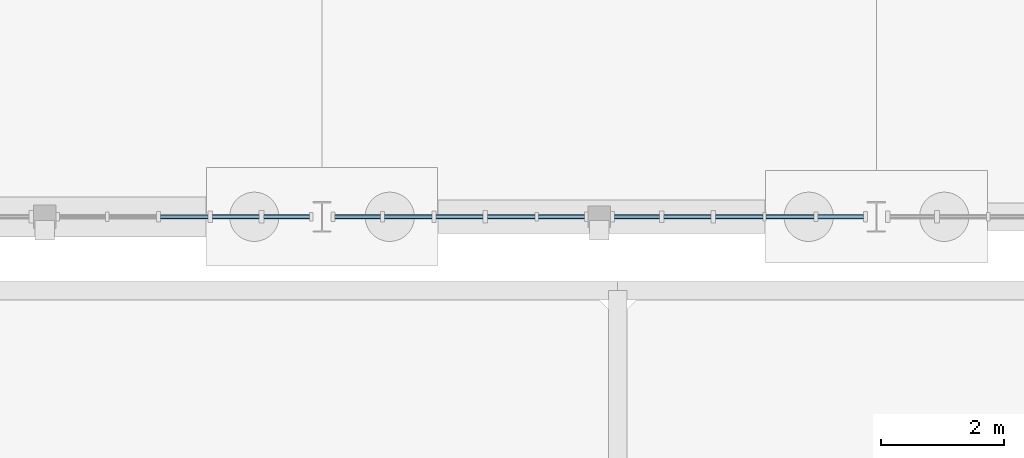
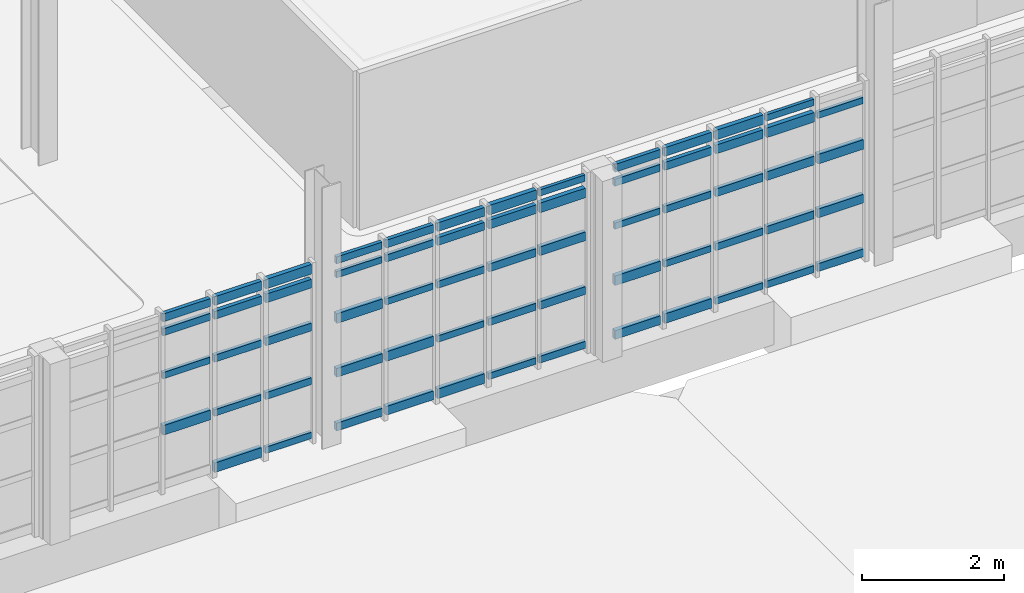
# One storey, part 62 of 125: 63 members, 3 elements without a shape of their own.
"""IFC4 building model written with IfcOpenShell, lengths in metres."""

from ifc_helpers import new_model, si_unit, direction, frame, origin, origin_2d, place, context, subcontext, project, spatial, rectangle, extrude, material, material_profile, profile_set, type_object, element, aggregate, save


model = new_model("IFC4")

# Units and contexts
model_context = context("Model", 3, precision=1e-05, world=origin(), true_north=direction((0.0, 1.0)))
body_context = subcontext(model_context, "Body", "Model", "MODEL_VIEW")
ifc_project = project(units=[si_unit("LENGTHUNIT", "METRE"), si_unit("AREAUNIT", "SQUARE_METRE"), si_unit("VOLUMEUNIT", "CUBIC_METRE"), si_unit("PLANEANGLEUNIT", "RADIAN"), si_unit("MASSUNIT", "GRAM", prefix="KILO")], contexts=[model_context])

# Site, building, storey
site_placement = place(None, origin())
site = spatial("IfcSite", under=ifc_project, at=site_placement, CompositionType="ELEMENT")
building_placement = place(site_placement, origin())
building = spatial("IfcBuilding", under=site, at=building_placement, Name="Serraforn Aerial Cableway Station", CompositionType="ELEMENT")
storey_placement = place(building_placement, frame((0.0, 0.0, 4.5)))
storey = spatial("IfcBuildingStorey", under=building, at=storey_placement, Name="L01", CompositionType="ELEMENT", Elevation=4.5)

# Curtain wall, members
ifc_material_1 = material(Name="Anodised bronze unitised curtain wall")
curtain_wall_type_1 = type_object("IfcCurtainWallType", Name="CW-SYS-10", PredefinedType="USERDEFINED", material=ifc_material_1)
curtain_wall_1_placement = place(storey_placement, origin())
curtain_wall_1 = element("IfcCurtainWall", 1, at=curtain_wall_1_placement, inside=storey, type_object=curtain_wall_type_1, Name="Unitised Curtain Wall CW-EL-L01-S1B", ObjectType="UNITISED CURTAIN WALL", PredefinedType="USERDEFINED")
ifc_material_2 = material(Name="Anodised bronze extruded aluminium", Category="aluminium")
ifc_material_profile_1 = material_profile(ifc_material_2, rectangle(XDim=0.054931640625, YDim=0.110107421875, at=origin_2d()), Name="CW TRANSOM 55x110")
ifc_profile_set_1 = profile_set([ifc_material_profile_1], Name="Anodised bronze extruded aluminium")
member_type_1 = type_object("IfcMemberType", Name="CW-TRN-1", PredefinedType="USERDEFINED", material=ifc_profile_set_1)
member_1_placement = place(storey_placement, frame((100.579345703125, 26.0, 1.996826171875), z_axis=(1.0, 0.0, 0.0), x_axis=(0.0, 1.0, 0.0)))
member_1 = element("IfcMember", 2, at=member_1_placement, type_object=member_type_1, Name="Curtain Wall Transom CW-EL-L01-S1B-T3-3", ObjectType="TRANSOM", PredefinedType="USERDEFINED", context=body_context, shape_type="SweptSolid", body=[
    extrude(rectangle(XDim=0.054931640625, YDim=0.110107421875, at=origin_2d()), origin(), (0.0, 0.0, 1.0), 0.770751953125),
])
member_2_placement = place(storey_placement, frame((101.416259765625, 26.0, 1.060791015625), z_axis=(1.0, 0.0, 0.0), x_axis=(0.0, 1.0, 0.0)))
member_2 = element("IfcMember", 3, at=member_2_placement, type_object=member_type_1, Name="Curtain Wall Transom CW-EL-L01-S1B-T4-2", ObjectType="TRANSOM", PredefinedType="USERDEFINED", context=body_context, shape_type="SweptSolid", body=[
    extrude(rectangle(XDim=0.054931640625, YDim=0.110107421875, at=origin_2d()), origin(), (0.0, 0.0, 1.0), 0.765869140625),
])
member_3_placement = place(storey_placement, frame((102.253173828125, 26.0, 0.124755859375), z_axis=(1.0, 0.0, 0.0), x_axis=(0.0, 1.0, 0.0)))
member_3 = element("IfcMember", 4, at=member_3_placement, type_object=member_type_1, Name="Curtain Wall Transom CW-EL-L01-S1B-T5-1", ObjectType="TRANSOM", PredefinedType="USERDEFINED", context=body_context, shape_type="SweptSolid", body=[
    extrude(rectangle(XDim=0.054931640625, YDim=0.110107421875, at=origin_2d()), origin(), (0.0, 0.0, 1.0), 0.745849609375),
])

curtain_wall_type_2 = type_object("IfcCurtainWallType", Name="CW-SYS-11", PredefinedType="USERDEFINED", material=ifc_material_1)
curtain_wall_2_placement = place(storey_placement, origin())
curtain_wall_2 = element("IfcCurtainWall", 5, at=curtain_wall_2_placement, inside=storey, type_object=curtain_wall_type_2, Name="Unitised Curtain Wall CW-EL-L01-S2A", ObjectType="UNITISED CURTAIN WALL", PredefinedType="USERDEFINED")
member_4_placement = place(storey_placement, frame((103.406005859375, 26.0, 2.74560546875), z_axis=(1.0, 0.0, 0.0), x_axis=(0.0, 1.0, 0.0)))
member_4 = element("IfcMember", 6, at=member_4_placement, type_object=member_type_1, Name="Curtain Wall Transom CW-EL-L01-S2A-T1-4", ObjectType="TRANSOM", PredefinedType="USERDEFINED", context=body_context, shape_type="SweptSolid", body=[
    extrude(rectangle(XDim=0.054931640625, YDim=0.110107421875, at=origin_2d()), origin(), (0.0, 0.0, 1.0), 0.745849609375),
])
member_5_placement = place(storey_placement, frame((104.212890625, 26.0, 1.996826171875), z_axis=(1.0, 0.0, 0.0), x_axis=(0.0, 1.0, 0.0)))
member_5 = element("IfcMember", 7, at=member_5_placement, type_object=member_type_1, Name="Curtain Wall Transom CW-EL-L01-S2A-T2-3", ObjectType="TRANSOM", PredefinedType="USERDEFINED", context=body_context, shape_type="SweptSolid", body=[
    extrude(rectangle(XDim=0.054931640625, YDim=0.110107421875, at=origin_2d()), origin(), (0.0, 0.0, 1.0), 0.77099609375),
])
member_6_placement = place(storey_placement, frame((105.0498046875, 26.0, 1.060791015625), z_axis=(1.0, 0.0, 0.0), x_axis=(0.0, 1.0, 0.0)))
member_6 = element("IfcMember", 8, at=member_6_placement, type_object=member_type_1, Name="Curtain Wall Transom CW-EL-L01-S2A-T3-2", ObjectType="TRANSOM", PredefinedType="USERDEFINED", context=body_context, shape_type="SweptSolid", body=[
    extrude(rectangle(XDim=0.054931640625, YDim=0.110107421875, at=origin_2d()), origin(), (0.0, 0.0, 1.0), 0.765869140625),
])
member_7_placement = place(storey_placement, frame((105.88671875, 26.0, 0.124755859375), z_axis=(1.0, 0.0, 0.0), x_axis=(0.0, 1.0, 0.0)))
member_7 = element("IfcMember", 9, at=member_7_placement, type_object=member_type_1, Name="Curtain Wall Transom CW-EL-L01-S2A-T4-1", ObjectType="TRANSOM", PredefinedType="USERDEFINED", context=body_context, shape_type="SweptSolid", body=[
    extrude(rectangle(XDim=0.054931640625, YDim=0.110107421875, at=origin_2d()), origin(), (0.0, 0.0, 1.0), 0.7734375),
])
member_8_placement = place(storey_placement, frame((106.711181640625, 26.0, 2.9951171875), z_axis=(1.0, 0.0, 0.0), x_axis=(0.0, 1.0, 0.0)))
member_8 = element("IfcMember", 10, at=member_8_placement, type_object=member_type_1, Name="Curtain Wall Transom CW-EL-L01-S2A-T5-5", ObjectType="TRANSOM", PredefinedType="USERDEFINED", context=body_context, shape_type="SweptSolid", body=[
    extrude(rectangle(XDim=0.054931640625, YDim=0.110107421875, at=origin_2d()), origin(), (0.0, 0.0, 1.0), 0.750732421875),
])

curtain_wall_type_3 = type_object("IfcCurtainWallType", Name="CW-SYS-12", PredefinedType="USERDEFINED", material=ifc_material_1)
curtain_wall_3_placement = place(storey_placement, origin())
curtain_wall_3 = element("IfcCurtainWall", 11, at=curtain_wall_3_placement, inside=storey, type_object=curtain_wall_type_3, Name="Unitised Curtain Wall CW-EL-L01-S2B", ObjectType="UNITISED CURTAIN WALL", PredefinedType="USERDEFINED")
member_9_placement = place(storey_placement, frame((107.943115234375, 26.0, 1.996826171875), z_axis=(1.0, 0.0, 0.0), x_axis=(0.0, 1.0, 0.0)))
member_9 = element("IfcMember", 12, at=member_9_placement, type_object=member_type_1, Name="Curtain Wall Transom CW-EL-L01-S2B-T1-3", ObjectType="TRANSOM", PredefinedType="USERDEFINED", context=body_context, shape_type="SweptSolid", body=[
    extrude(rectangle(XDim=0.054931640625, YDim=0.110107421875, at=origin_2d()), origin(), (0.0, 0.0, 1.0), 0.73828125),
])
member_10_placement = place(storey_placement, frame((108.747314453125, 26.0, 1.060791015625), z_axis=(1.0, 0.0, 0.0), x_axis=(0.0, 1.0, 0.0)))
member_10 = element("IfcMember", 13, at=member_10_placement, type_object=member_type_1, Name="Curtain Wall Transom CW-EL-L01-S2B-T2-2", ObjectType="TRANSOM", PredefinedType="USERDEFINED", context=body_context, shape_type="SweptSolid", body=[
    extrude(rectangle(XDim=0.054931640625, YDim=0.110107421875, at=origin_2d()), origin(), (0.0, 0.0, 1.0), 0.765869140625),
])
member_11_placement = place(storey_placement, frame((109.584228515625, 26.0, 0.124755859375), z_axis=(1.0, 0.0, 0.0), x_axis=(0.0, 1.0, 0.0)))
member_11 = element("IfcMember", 14, at=member_11_placement, type_object=member_type_1, Name="Curtain Wall Transom CW-EL-L01-S2B-T3-1", ObjectType="TRANSOM", PredefinedType="USERDEFINED", context=body_context, shape_type="SweptSolid", body=[
    extrude(rectangle(XDim=0.054931640625, YDim=0.110107421875, at=origin_2d()), origin(), (0.0, 0.0, 1.0), 0.7734375),
])
member_12_placement = place(storey_placement, frame((110.40869140625, 26.0, 2.9951171875), z_axis=(1.0, 0.0, 0.0), x_axis=(0.0, 1.0, 0.0)))
member_12 = element("IfcMember", 15, at=member_12_placement, type_object=member_type_1, Name="Curtain Wall Transom CW-EL-L01-S2B-T4-5", ObjectType="TRANSOM", PredefinedType="USERDEFINED", context=body_context, shape_type="SweptSolid", body=[
    extrude(rectangle(XDim=0.054931640625, YDim=0.110107421875, at=origin_2d()), origin(), (0.0, 0.0, 1.0), 0.781005859375),
])
member_13_placement = place(storey_placement, frame((111.24560546875, 26.0, 2.74560546875), z_axis=(1.0, 0.0, 0.0), x_axis=(0.0, 1.0, 0.0)))
member_13 = element("IfcMember", 16, at=member_13_placement, type_object=member_type_1, Name="Curtain Wall Transom CW-EL-L01-S2B-T5-4", ObjectType="TRANSOM", PredefinedType="USERDEFINED", context=body_context, shape_type="SweptSolid", body=[
    extrude(rectangle(XDim=0.054931640625, YDim=0.110107421875, at=origin_2d()), origin(), (0.0, 0.0, 1.0), 0.743408203125),
])

# Member
ifc_material_profile_2 = material_profile(ifc_material_2, rectangle(XDim=0.06005859375, YDim=0.1201171875, at=origin_2d()), Name="CW TRANSOM 60x120")
ifc_profile_set_2 = profile_set([ifc_material_profile_2], Name="Anodised bronze extruded aluminium")
member_type_2 = type_object("IfcMemberType", Name="CW-TRN-2", PredefinedType="USERDEFINED", material=ifc_profile_set_2)
member_14_placement = place(storey_placement, frame((100.579345703125, 26.0, 2.74560546875), z_axis=(1.0, 0.0, 0.0), x_axis=(0.0, 1.0, 0.0)))
member_14 = element("IfcMember", 17, at=member_14_placement, type_object=member_type_2, Name="Curtain Wall Transom CW-EL-L01-S1B-T3-4", ObjectType="TRANSOM", PredefinedType="USERDEFINED", context=body_context, shape_type="SweptSolid", body=[
    extrude(rectangle(XDim=0.06005859375, YDim=0.1201171875, at=origin_2d()), origin(), (0.0, 0.0, 1.0), 0.770751953125),
])

member_15_placement = place(storey_placement, frame((101.416259765625, 26.0, 1.996826171875), z_axis=(1.0, 0.0, 0.0), x_axis=(0.0, 1.0, 0.0)))
member_15 = element("IfcMember", 18, at=member_15_placement, type_object=member_type_2, Name="Curtain Wall Transom CW-EL-L01-S1B-T4-3", ObjectType="TRANSOM", PredefinedType="USERDEFINED", context=body_context, shape_type="SweptSolid", body=[
    extrude(rectangle(XDim=0.06005859375, YDim=0.1201171875, at=origin_2d()), origin(), (0.0, 0.0, 1.0), 0.765869140625),
])

member_16_placement = place(storey_placement, frame((102.253173828125, 26.0, 1.060791015625), z_axis=(1.0, 0.0, 0.0), x_axis=(0.0, 1.0, 0.0)))
member_16 = element("IfcMember", 19, at=member_16_placement, type_object=member_type_2, Name="Curtain Wall Transom CW-EL-L01-S1B-T5-2", ObjectType="TRANSOM", PredefinedType="USERDEFINED", context=body_context, shape_type="SweptSolid", body=[
    extrude(rectangle(XDim=0.06005859375, YDim=0.1201171875, at=origin_2d()), origin(), (0.0, 0.0, 1.0), 0.745849609375),
])

member_17_placement = place(storey_placement, frame((103.406005859375, 26.0, 2.9951171875), z_axis=(1.0, 0.0, 0.0), x_axis=(0.0, 1.0, 0.0)))
member_17 = element("IfcMember", 20, at=member_17_placement, type_object=member_type_2, Name="Curtain Wall Transom CW-EL-L01-S2A-T1-5", ObjectType="TRANSOM", PredefinedType="USERDEFINED", context=body_context, shape_type="SweptSolid", body=[
    extrude(rectangle(XDim=0.06005859375, YDim=0.1201171875, at=origin_2d()), origin(), (0.0, 0.0, 1.0), 0.745849609375),
])

member_18_placement = place(storey_placement, frame((104.212890625, 26.0, 2.74560546875), z_axis=(1.0, 0.0, 0.0), x_axis=(0.0, 1.0, 0.0)))
member_18 = element("IfcMember", 21, at=member_18_placement, type_object=member_type_2, Name="Curtain Wall Transom CW-EL-L01-S2A-T2-4", ObjectType="TRANSOM", PredefinedType="USERDEFINED", context=body_context, shape_type="SweptSolid", body=[
    extrude(rectangle(XDim=0.06005859375, YDim=0.1201171875, at=origin_2d()), origin(), (0.0, 0.0, 1.0), 0.77099609375),
])

member_19_placement = place(storey_placement, frame((105.0498046875, 26.0, 1.996826171875), z_axis=(1.0, 0.0, 0.0), x_axis=(0.0, 1.0, 0.0)))
member_19 = element("IfcMember", 22, at=member_19_placement, type_object=member_type_2, Name="Curtain Wall Transom CW-EL-L01-S2A-T3-3", ObjectType="TRANSOM", PredefinedType="USERDEFINED", context=body_context, shape_type="SweptSolid", body=[
    extrude(rectangle(XDim=0.06005859375, YDim=0.1201171875, at=origin_2d()), origin(), (0.0, 0.0, 1.0), 0.765869140625),
])

member_20_placement = place(storey_placement, frame((105.88671875, 26.0, 1.060791015625), z_axis=(1.0, 0.0, 0.0), x_axis=(0.0, 1.0, 0.0)))
member_20 = element("IfcMember", 23, at=member_20_placement, type_object=member_type_2, Name="Curtain Wall Transom CW-EL-L01-S2A-T4-2", ObjectType="TRANSOM", PredefinedType="USERDEFINED", context=body_context, shape_type="SweptSolid", body=[
    extrude(rectangle(XDim=0.06005859375, YDim=0.1201171875, at=origin_2d()), origin(), (0.0, 0.0, 1.0), 0.7734375),
])

member_21_placement = place(storey_placement, frame((106.711181640625, 26.0, 0.124755859375), z_axis=(1.0, 0.0, 0.0), x_axis=(0.0, 1.0, 0.0)))
member_21 = element("IfcMember", 24, at=member_21_placement, type_object=member_type_2, Name="Curtain Wall Transom CW-EL-L01-S2A-T5-1", ObjectType="TRANSOM", PredefinedType="USERDEFINED", context=body_context, shape_type="SweptSolid", body=[
    extrude(rectangle(XDim=0.06005859375, YDim=0.1201171875, at=origin_2d()), origin(), (0.0, 0.0, 1.0), 0.750732421875),
])

member_22_placement = place(storey_placement, frame((107.943115234375, 26.0, 2.74560546875), z_axis=(1.0, 0.0, 0.0), x_axis=(0.0, 1.0, 0.0)))
member_22 = element("IfcMember", 25, at=member_22_placement, type_object=member_type_2, Name="Curtain Wall Transom CW-EL-L01-S2B-T1-4", ObjectType="TRANSOM", PredefinedType="USERDEFINED", context=body_context, shape_type="SweptSolid", body=[
    extrude(rectangle(XDim=0.06005859375, YDim=0.1201171875, at=origin_2d()), origin(), (0.0, 0.0, 1.0), 0.73828125),
])

member_23_placement = place(storey_placement, frame((108.747314453125, 26.0, 1.996826171875), z_axis=(1.0, 0.0, 0.0), x_axis=(0.0, 1.0, 0.0)))
member_23 = element("IfcMember", 26, at=member_23_placement, type_object=member_type_2, Name="Curtain Wall Transom CW-EL-L01-S2B-T2-3", ObjectType="TRANSOM", PredefinedType="USERDEFINED", context=body_context, shape_type="SweptSolid", body=[
    extrude(rectangle(XDim=0.06005859375, YDim=0.1201171875, at=origin_2d()), origin(), (0.0, 0.0, 1.0), 0.765869140625),
])

member_24_placement = place(storey_placement, frame((109.584228515625, 26.0, 1.060791015625), z_axis=(1.0, 0.0, 0.0), x_axis=(0.0, 1.0, 0.0)))
member_24 = element("IfcMember", 27, at=member_24_placement, type_object=member_type_2, Name="Curtain Wall Transom CW-EL-L01-S2B-T3-2", ObjectType="TRANSOM", PredefinedType="USERDEFINED", context=body_context, shape_type="SweptSolid", body=[
    extrude(rectangle(XDim=0.06005859375, YDim=0.1201171875, at=origin_2d()), origin(), (0.0, 0.0, 1.0), 0.7734375),
])

member_25_placement = place(storey_placement, frame((110.40869140625, 26.0, 0.124755859375), z_axis=(1.0, 0.0, 0.0), x_axis=(0.0, 1.0, 0.0)))
member_25 = element("IfcMember", 28, at=member_25_placement, type_object=member_type_2, Name="Curtain Wall Transom CW-EL-L01-S2B-T4-1", ObjectType="TRANSOM", PredefinedType="USERDEFINED", context=body_context, shape_type="SweptSolid", body=[
    extrude(rectangle(XDim=0.06005859375, YDim=0.1201171875, at=origin_2d()), origin(), (0.0, 0.0, 1.0), 0.781005859375),
])

ifc_material_profile_3 = material_profile(ifc_material_2, rectangle(XDim=0.06494140625, YDim=0.135009765625, at=origin_2d()), Name="CW TRANSOM 65x135")
ifc_profile_set_3 = profile_set([ifc_material_profile_3], Name="Anodised bronze extruded aluminium")
member_type_3 = type_object("IfcMemberType", Name="CW-TRN-3", PredefinedType="USERDEFINED", material=ifc_profile_set_3)
member_26_placement = place(storey_placement, frame((100.579345703125, 26.0, 2.9951171875), z_axis=(1.0, 0.0, 0.0), x_axis=(0.0, 1.0, 0.0)))
member_26 = element("IfcMember", 29, at=member_26_placement, type_object=member_type_3, Name="Curtain Wall Transom CW-EL-L01-S1B-T3-5", ObjectType="TRANSOM", PredefinedType="USERDEFINED", context=body_context, shape_type="SweptSolid", body=[
    extrude(rectangle(XDim=0.06494140625, YDim=0.135009765625, at=origin_2d()), origin(), (0.0, 0.0, 1.0), 0.770751953125),
])

member_27_placement = place(storey_placement, frame((101.416259765625, 26.0, 2.74560546875), z_axis=(1.0, 0.0, 0.0), x_axis=(0.0, 1.0, 0.0)))
member_27 = element("IfcMember", 30, at=member_27_placement, type_object=member_type_3, Name="Curtain Wall Transom CW-EL-L01-S1B-T4-4", ObjectType="TRANSOM", PredefinedType="USERDEFINED", context=body_context, shape_type="SweptSolid", body=[
    extrude(rectangle(XDim=0.06494140625, YDim=0.135009765625, at=origin_2d()), origin(), (0.0, 0.0, 1.0), 0.765869140625),
])

member_28_placement = place(storey_placement, frame((102.253173828125, 26.0, 1.996826171875), z_axis=(1.0, 0.0, 0.0), x_axis=(0.0, 1.0, 0.0)))
member_28 = element("IfcMember", 31, at=member_28_placement, type_object=member_type_3, Name="Curtain Wall Transom CW-EL-L01-S1B-T5-3", ObjectType="TRANSOM", PredefinedType="USERDEFINED", context=body_context, shape_type="SweptSolid", body=[
    extrude(rectangle(XDim=0.06494140625, YDim=0.135009765625, at=origin_2d()), origin(), (0.0, 0.0, 1.0), 0.745849609375),
])

member_29_placement = place(storey_placement, frame((103.406005859375, 26.0, 0.124755859375), z_axis=(1.0, 0.0, 0.0), x_axis=(0.0, 1.0, 0.0)))
member_29 = element("IfcMember", 32, at=member_29_placement, type_object=member_type_3, Name="Curtain Wall Transom CW-EL-L01-S2A-T1-1", ObjectType="TRANSOM", PredefinedType="USERDEFINED", context=body_context, shape_type="SweptSolid", body=[
    extrude(rectangle(XDim=0.06494140625, YDim=0.135009765625, at=origin_2d()), origin(), (0.0, 0.0, 1.0), 0.745849609375),
])

member_30_placement = place(storey_placement, frame((104.212890625, 26.0, 2.9951171875), z_axis=(1.0, 0.0, 0.0), x_axis=(0.0, 1.0, 0.0)))
member_30 = element("IfcMember", 33, at=member_30_placement, type_object=member_type_3, Name="Curtain Wall Transom CW-EL-L01-S2A-T2-5", ObjectType="TRANSOM", PredefinedType="USERDEFINED", context=body_context, shape_type="SweptSolid", body=[
    extrude(rectangle(XDim=0.06494140625, YDim=0.135009765625, at=origin_2d()), origin(), (0.0, 0.0, 1.0), 0.77099609375),
])

member_31_placement = place(storey_placement, frame((105.0498046875, 26.0, 2.74560546875), z_axis=(1.0, 0.0, 0.0), x_axis=(0.0, 1.0, 0.0)))
member_31 = element("IfcMember", 34, at=member_31_placement, type_object=member_type_3, Name="Curtain Wall Transom CW-EL-L01-S2A-T3-4", ObjectType="TRANSOM", PredefinedType="USERDEFINED", context=body_context, shape_type="SweptSolid", body=[
    extrude(rectangle(XDim=0.06494140625, YDim=0.135009765625, at=origin_2d()), origin(), (0.0, 0.0, 1.0), 0.765869140625),
])

member_32_placement = place(storey_placement, frame((105.88671875, 26.0, 1.996826171875), z_axis=(1.0, 0.0, 0.0), x_axis=(0.0, 1.0, 0.0)))
member_32 = element("IfcMember", 35, at=member_32_placement, type_object=member_type_3, Name="Curtain Wall Transom CW-EL-L01-S2A-T4-3", ObjectType="TRANSOM", PredefinedType="USERDEFINED", context=body_context, shape_type="SweptSolid", body=[
    extrude(rectangle(XDim=0.06494140625, YDim=0.135009765625, at=origin_2d()), origin(), (0.0, 0.0, 1.0), 0.7734375),
])

member_33_placement = place(storey_placement, frame((106.711181640625, 26.0, 1.060791015625), z_axis=(1.0, 0.0, 0.0), x_axis=(0.0, 1.0, 0.0)))
member_33 = element("IfcMember", 36, at=member_33_placement, type_object=member_type_3, Name="Curtain Wall Transom CW-EL-L01-S2A-T5-2", ObjectType="TRANSOM", PredefinedType="USERDEFINED", context=body_context, shape_type="SweptSolid", body=[
    extrude(rectangle(XDim=0.06494140625, YDim=0.135009765625, at=origin_2d()), origin(), (0.0, 0.0, 1.0), 0.750732421875),
])

member_34_placement = place(storey_placement, frame((107.943115234375, 26.0, 2.9951171875), z_axis=(1.0, 0.0, 0.0), x_axis=(0.0, 1.0, 0.0)))
member_34 = element("IfcMember", 37, at=member_34_placement, type_object=member_type_3, Name="Curtain Wall Transom CW-EL-L01-S2B-T1-5", ObjectType="TRANSOM", PredefinedType="USERDEFINED", context=body_context, shape_type="SweptSolid", body=[
    extrude(rectangle(XDim=0.06494140625, YDim=0.135009765625, at=origin_2d()), origin(), (0.0, 0.0, 1.0), 0.73828125),
])

member_35_placement = place(storey_placement, frame((108.747314453125, 26.0, 2.74560546875), z_axis=(1.0, 0.0, 0.0), x_axis=(0.0, 1.0, 0.0)))
member_35 = element("IfcMember", 38, at=member_35_placement, type_object=member_type_3, Name="Curtain Wall Transom CW-EL-L01-S2B-T2-4", ObjectType="TRANSOM", PredefinedType="USERDEFINED", context=body_context, shape_type="SweptSolid", body=[
    extrude(rectangle(XDim=0.06494140625, YDim=0.135009765625, at=origin_2d()), origin(), (0.0, 0.0, 1.0), 0.765869140625),
])

member_36_placement = place(storey_placement, frame((109.584228515625, 26.0, 1.996826171875), z_axis=(1.0, 0.0, 0.0), x_axis=(0.0, 1.0, 0.0)))
member_36 = element("IfcMember", 39, at=member_36_placement, type_object=member_type_3, Name="Curtain Wall Transom CW-EL-L01-S2B-T3-3", ObjectType="TRANSOM", PredefinedType="USERDEFINED", context=body_context, shape_type="SweptSolid", body=[
    extrude(rectangle(XDim=0.06494140625, YDim=0.135009765625, at=origin_2d()), origin(), (0.0, 0.0, 1.0), 0.7734375),
])

member_37_placement = place(storey_placement, frame((110.40869140625, 26.0, 1.060791015625), z_axis=(1.0, 0.0, 0.0), x_axis=(0.0, 1.0, 0.0)))
member_37 = element("IfcMember", 40, at=member_37_placement, type_object=member_type_3, Name="Curtain Wall Transom CW-EL-L01-S2B-T4-2", ObjectType="TRANSOM", PredefinedType="USERDEFINED", context=body_context, shape_type="SweptSolid", body=[
    extrude(rectangle(XDim=0.06494140625, YDim=0.135009765625, at=origin_2d()), origin(), (0.0, 0.0, 1.0), 0.781005859375),
])

member_38_placement = place(storey_placement, frame((111.24560546875, 26.0, 0.124755859375), z_axis=(1.0, 0.0, 0.0), x_axis=(0.0, 1.0, 0.0)))
member_38 = element("IfcMember", 41, at=member_38_placement, type_object=member_type_3, Name="Curtain Wall Transom CW-EL-L01-S2B-T5-1", ObjectType="TRANSOM", PredefinedType="USERDEFINED", context=body_context, shape_type="SweptSolid", body=[
    extrude(rectangle(XDim=0.06494140625, YDim=0.135009765625, at=origin_2d()), origin(), (0.0, 0.0, 1.0), 0.743408203125),
])

ifc_material_profile_4 = material_profile(ifc_material_2, rectangle(XDim=0.070068359375, YDim=0.14990234375, at=origin_2d()), Name="CW TRANSOM 70x150")
ifc_profile_set_4 = profile_set([ifc_material_profile_4], Name="Anodised bronze extruded aluminium")
member_type_4 = type_object("IfcMemberType", Name="CW-TRN-4", PredefinedType="USERDEFINED", material=ifc_profile_set_4)
member_39_placement = place(storey_placement, frame((101.416259765625, 26.0, 2.9951171875), z_axis=(1.0, 0.0, 0.0), x_axis=(0.0, 1.0, 0.0)))
member_39 = element("IfcMember", 42, at=member_39_placement, type_object=member_type_4, Name="Curtain Wall Transom CW-EL-L01-S1B-T4-5", ObjectType="TRANSOM", PredefinedType="USERDEFINED", context=body_context, shape_type="SweptSolid", body=[
    extrude(rectangle(XDim=0.070068359375, YDim=0.14990234375, at=origin_2d()), origin(), (0.0, 0.0, 1.0), 0.765869140625),
])

member_40_placement = place(storey_placement, frame((102.253173828125, 26.0, 2.74560546875), z_axis=(1.0, 0.0, 0.0), x_axis=(0.0, 1.0, 0.0)))
member_40 = element("IfcMember", 43, at=member_40_placement, type_object=member_type_4, Name="Curtain Wall Transom CW-EL-L01-S1B-T5-4", ObjectType="TRANSOM", PredefinedType="USERDEFINED", context=body_context, shape_type="SweptSolid", body=[
    extrude(rectangle(XDim=0.070068359375, YDim=0.14990234375, at=origin_2d()), origin(), (0.0, 0.0, 1.0), 0.745849609375),
])

member_41_placement = place(storey_placement, frame((103.406005859375, 26.0, 1.060791015625), z_axis=(1.0, 0.0, 0.0), x_axis=(0.0, 1.0, 0.0)))
member_41 = element("IfcMember", 44, at=member_41_placement, type_object=member_type_4, Name="Curtain Wall Transom CW-EL-L01-S2A-T1-2", ObjectType="TRANSOM", PredefinedType="USERDEFINED", context=body_context, shape_type="SweptSolid", body=[
    extrude(rectangle(XDim=0.070068359375, YDim=0.14990234375, at=origin_2d()), origin(), (0.0, 0.0, 1.0), 0.745849609375),
])

member_42_placement = place(storey_placement, frame((104.212890625, 26.0, 0.124755859375), z_axis=(1.0, 0.0, 0.0), x_axis=(0.0, 1.0, 0.0)))
member_42 = element("IfcMember", 45, at=member_42_placement, type_object=member_type_4, Name="Curtain Wall Transom CW-EL-L01-S2A-T2-1", ObjectType="TRANSOM", PredefinedType="USERDEFINED", context=body_context, shape_type="SweptSolid", body=[
    extrude(rectangle(XDim=0.070068359375, YDim=0.14990234375, at=origin_2d()), origin(), (0.0, 0.0, 1.0), 0.77099609375),
])

member_43_placement = place(storey_placement, frame((105.0498046875, 26.0, 2.9951171875), z_axis=(1.0, 0.0, 0.0), x_axis=(0.0, 1.0, 0.0)))
member_43 = element("IfcMember", 46, at=member_43_placement, type_object=member_type_4, Name="Curtain Wall Transom CW-EL-L01-S2A-T3-5", ObjectType="TRANSOM", PredefinedType="USERDEFINED", context=body_context, shape_type="SweptSolid", body=[
    extrude(rectangle(XDim=0.070068359375, YDim=0.14990234375, at=origin_2d()), origin(), (0.0, 0.0, 1.0), 0.765869140625),
])

member_44_placement = place(storey_placement, frame((105.88671875, 26.0, 2.74560546875), z_axis=(1.0, 0.0, 0.0), x_axis=(0.0, 1.0, 0.0)))
member_44 = element("IfcMember", 47, at=member_44_placement, type_object=member_type_4, Name="Curtain Wall Transom CW-EL-L01-S2A-T4-4", ObjectType="TRANSOM", PredefinedType="USERDEFINED", context=body_context, shape_type="SweptSolid", body=[
    extrude(rectangle(XDim=0.070068359375, YDim=0.14990234375, at=origin_2d()), origin(), (0.0, 0.0, 1.0), 0.7734375),
])

member_45_placement = place(storey_placement, frame((106.711181640625, 26.0, 1.996826171875), z_axis=(1.0, 0.0, 0.0), x_axis=(0.0, 1.0, 0.0)))
member_45 = element("IfcMember", 48, at=member_45_placement, type_object=member_type_4, Name="Curtain Wall Transom CW-EL-L01-S2A-T5-3", ObjectType="TRANSOM", PredefinedType="USERDEFINED", context=body_context, shape_type="SweptSolid", body=[
    extrude(rectangle(XDim=0.070068359375, YDim=0.14990234375, at=origin_2d()), origin(), (0.0, 0.0, 1.0), 0.750732421875),
])

member_46_placement = place(storey_placement, frame((107.943115234375, 26.0, 0.124755859375), z_axis=(1.0, 0.0, 0.0), x_axis=(0.0, 1.0, 0.0)))
member_46 = element("IfcMember", 49, at=member_46_placement, type_object=member_type_4, Name="Curtain Wall Transom CW-EL-L01-S2B-T1-1", ObjectType="TRANSOM", PredefinedType="USERDEFINED", context=body_context, shape_type="SweptSolid", body=[
    extrude(rectangle(XDim=0.070068359375, YDim=0.14990234375, at=origin_2d()), origin(), (0.0, 0.0, 1.0), 0.73828125),
])

member_47_placement = place(storey_placement, frame((108.747314453125, 26.0, 2.9951171875), z_axis=(1.0, 0.0, 0.0), x_axis=(0.0, 1.0, 0.0)))
member_47 = element("IfcMember", 50, at=member_47_placement, type_object=member_type_4, Name="Curtain Wall Transom CW-EL-L01-S2B-T2-5", ObjectType="TRANSOM", PredefinedType="USERDEFINED", context=body_context, shape_type="SweptSolid", body=[
    extrude(rectangle(XDim=0.070068359375, YDim=0.14990234375, at=origin_2d()), origin(), (0.0, 0.0, 1.0), 0.765869140625),
])

member_48_placement = place(storey_placement, frame((109.584228515625, 26.0, 2.74560546875), z_axis=(1.0, 0.0, 0.0), x_axis=(0.0, 1.0, 0.0)))
member_48 = element("IfcMember", 51, at=member_48_placement, type_object=member_type_4, Name="Curtain Wall Transom CW-EL-L01-S2B-T3-4", ObjectType="TRANSOM", PredefinedType="USERDEFINED", context=body_context, shape_type="SweptSolid", body=[
    extrude(rectangle(XDim=0.070068359375, YDim=0.14990234375, at=origin_2d()), origin(), (0.0, 0.0, 1.0), 0.7734375),
])

member_49_placement = place(storey_placement, frame((110.40869140625, 26.0, 1.996826171875), z_axis=(1.0, 0.0, 0.0), x_axis=(0.0, 1.0, 0.0)))
member_49 = element("IfcMember", 52, at=member_49_placement, type_object=member_type_4, Name="Curtain Wall Transom CW-EL-L01-S2B-T4-3", ObjectType="TRANSOM", PredefinedType="USERDEFINED", context=body_context, shape_type="SweptSolid", body=[
    extrude(rectangle(XDim=0.070068359375, YDim=0.14990234375, at=origin_2d()), origin(), (0.0, 0.0, 1.0), 0.781005859375),
])

member_50_placement = place(storey_placement, frame((111.24560546875, 26.0, 1.060791015625), z_axis=(1.0, 0.0, 0.0), x_axis=(0.0, 1.0, 0.0)))
member_50 = element("IfcMember", 53, at=member_50_placement, type_object=member_type_4, Name="Curtain Wall Transom CW-EL-L01-S2B-T5-2", ObjectType="TRANSOM", PredefinedType="USERDEFINED", context=body_context, shape_type="SweptSolid", body=[
    extrude(rectangle(XDim=0.070068359375, YDim=0.14990234375, at=origin_2d()), origin(), (0.0, 0.0, 1.0), 0.743408203125),
])

ifc_material_profile_5 = material_profile(ifc_material_2, rectangle(XDim=0.074951171875, YDim=0.1650390625, at=origin_2d()), Name="CW TRANSOM 75x165")
ifc_profile_set_5 = profile_set([ifc_material_profile_5], Name="Anodised bronze extruded aluminium")
member_type_5 = type_object("IfcMemberType", Name="CW-TRN-5", PredefinedType="USERDEFINED", material=ifc_profile_set_5)
member_51_placement = place(storey_placement, frame((100.579345703125, 26.0, 1.060791015625), z_axis=(1.0, 0.0, 0.0), x_axis=(0.0, 1.0, 0.0)))
member_51 = element("IfcMember", 54, at=member_51_placement, type_object=member_type_5, Name="Curtain Wall Transom CW-EL-L01-S1B-T3-2", ObjectType="TRANSOM", PredefinedType="USERDEFINED", context=body_context, shape_type="SweptSolid", body=[
    extrude(rectangle(XDim=0.074951171875, YDim=0.1650390625, at=origin_2d()), origin(), (0.0, 0.0, 1.0), 0.770751953125),
])

member_52_placement = place(storey_placement, frame((101.416259765625, 26.0, 0.124755859375), z_axis=(1.0, 0.0, 0.0), x_axis=(0.0, 1.0, 0.0)))
member_52 = element("IfcMember", 55, at=member_52_placement, type_object=member_type_5, Name="Curtain Wall Transom CW-EL-L01-S1B-T4-1", ObjectType="TRANSOM", PredefinedType="USERDEFINED", context=body_context, shape_type="SweptSolid", body=[
    extrude(rectangle(XDim=0.074951171875, YDim=0.1650390625, at=origin_2d()), origin(), (0.0, 0.0, 1.0), 0.765869140625),
])

member_53_placement = place(storey_placement, frame((102.253173828125, 26.0, 2.9951171875), z_axis=(1.0, 0.0, 0.0), x_axis=(0.0, 1.0, 0.0)))
member_53 = element("IfcMember", 56, at=member_53_placement, type_object=member_type_5, Name="Curtain Wall Transom CW-EL-L01-S1B-T5-5", ObjectType="TRANSOM", PredefinedType="USERDEFINED", context=body_context, shape_type="SweptSolid", body=[
    extrude(rectangle(XDim=0.074951171875, YDim=0.1650390625, at=origin_2d()), origin(), (0.0, 0.0, 1.0), 0.745849609375),
])

aggregate(curtain_wall_1, [member_51, member_1, member_14, member_26, member_52, member_2, member_15, member_27, member_39, member_3, member_16, member_28, member_40, member_53])

member_54_placement = place(storey_placement, frame((103.406005859375, 26.0, 1.996826171875), z_axis=(1.0, 0.0, 0.0), x_axis=(0.0, 1.0, 0.0)))
member_54 = element("IfcMember", 57, at=member_54_placement, type_object=member_type_5, Name="Curtain Wall Transom CW-EL-L01-S2A-T1-3", ObjectType="TRANSOM", PredefinedType="USERDEFINED", context=body_context, shape_type="SweptSolid", body=[
    extrude(rectangle(XDim=0.074951171875, YDim=0.1650390625, at=origin_2d()), origin(), (0.0, 0.0, 1.0), 0.745849609375),
])

member_55_placement = place(storey_placement, frame((104.212890625, 26.0, 1.060791015625), z_axis=(1.0, 0.0, 0.0), x_axis=(0.0, 1.0, 0.0)))
member_55 = element("IfcMember", 58, at=member_55_placement, type_object=member_type_5, Name="Curtain Wall Transom CW-EL-L01-S2A-T2-2", ObjectType="TRANSOM", PredefinedType="USERDEFINED", context=body_context, shape_type="SweptSolid", body=[
    extrude(rectangle(XDim=0.074951171875, YDim=0.1650390625, at=origin_2d()), origin(), (0.0, 0.0, 1.0), 0.77099609375),
])

member_56_placement = place(storey_placement, frame((105.0498046875, 26.0, 0.124755859375), z_axis=(1.0, 0.0, 0.0), x_axis=(0.0, 1.0, 0.0)))
member_56 = element("IfcMember", 59, at=member_56_placement, type_object=member_type_5, Name="Curtain Wall Transom CW-EL-L01-S2A-T3-1", ObjectType="TRANSOM", PredefinedType="USERDEFINED", context=body_context, shape_type="SweptSolid", body=[
    extrude(rectangle(XDim=0.074951171875, YDim=0.1650390625, at=origin_2d()), origin(), (0.0, 0.0, 1.0), 0.765869140625),
])

member_57_placement = place(storey_placement, frame((105.88671875, 26.0, 2.9951171875), z_axis=(1.0, 0.0, 0.0), x_axis=(0.0, 1.0, 0.0)))
member_57 = element("IfcMember", 60, at=member_57_placement, type_object=member_type_5, Name="Curtain Wall Transom CW-EL-L01-S2A-T4-5", ObjectType="TRANSOM", PredefinedType="USERDEFINED", context=body_context, shape_type="SweptSolid", body=[
    extrude(rectangle(XDim=0.074951171875, YDim=0.1650390625, at=origin_2d()), origin(), (0.0, 0.0, 1.0), 0.7734375),
])

member_58_placement = place(storey_placement, frame((106.711181640625, 26.0, 2.74560546875), z_axis=(1.0, 0.0, 0.0), x_axis=(0.0, 1.0, 0.0)))
member_58 = element("IfcMember", 61, at=member_58_placement, type_object=member_type_5, Name="Curtain Wall Transom CW-EL-L01-S2A-T5-4", ObjectType="TRANSOM", PredefinedType="USERDEFINED", context=body_context, shape_type="SweptSolid", body=[
    extrude(rectangle(XDim=0.074951171875, YDim=0.1650390625, at=origin_2d()), origin(), (0.0, 0.0, 1.0), 0.750732421875),
])

aggregate(curtain_wall_2, [member_29, member_41, member_54, member_4, member_17, member_42, member_55, member_5, member_18, member_30, member_56, member_6, member_19, member_31, member_43, member_7, member_20, member_32, member_44, member_57, member_21, member_33, member_45, member_58, member_8])

member_59_placement = place(storey_placement, frame((107.943115234375, 26.0, 1.060791015625), z_axis=(1.0, 0.0, 0.0), x_axis=(0.0, 1.0, 0.0)))
member_59 = element("IfcMember", 62, at=member_59_placement, type_object=member_type_5, Name="Curtain Wall Transom CW-EL-L01-S2B-T1-2", ObjectType="TRANSOM", PredefinedType="USERDEFINED", context=body_context, shape_type="SweptSolid", body=[
    extrude(rectangle(XDim=0.074951171875, YDim=0.1650390625, at=origin_2d()), origin(), (0.0, 0.0, 1.0), 0.73828125),
])

member_60_placement = place(storey_placement, frame((108.747314453125, 26.0, 0.124755859375), z_axis=(1.0, 0.0, 0.0), x_axis=(0.0, 1.0, 0.0)))
member_60 = element("IfcMember", 63, at=member_60_placement, type_object=member_type_5, Name="Curtain Wall Transom CW-EL-L01-S2B-T2-1", ObjectType="TRANSOM", PredefinedType="USERDEFINED", context=body_context, shape_type="SweptSolid", body=[
    extrude(rectangle(XDim=0.074951171875, YDim=0.1650390625, at=origin_2d()), origin(), (0.0, 0.0, 1.0), 0.765869140625),
])

member_61_placement = place(storey_placement, frame((109.584228515625, 26.0, 2.9951171875), z_axis=(1.0, 0.0, 0.0), x_axis=(0.0, 1.0, 0.0)))
member_61 = element("IfcMember", 64, at=member_61_placement, type_object=member_type_5, Name="Curtain Wall Transom CW-EL-L01-S2B-T3-5", ObjectType="TRANSOM", PredefinedType="USERDEFINED", context=body_context, shape_type="SweptSolid", body=[
    extrude(rectangle(XDim=0.074951171875, YDim=0.1650390625, at=origin_2d()), origin(), (0.0, 0.0, 1.0), 0.7734375),
])

member_62_placement = place(storey_placement, frame((110.40869140625, 26.0, 2.74560546875), z_axis=(1.0, 0.0, 0.0), x_axis=(0.0, 1.0, 0.0)))
member_62 = element("IfcMember", 65, at=member_62_placement, type_object=member_type_5, Name="Curtain Wall Transom CW-EL-L01-S2B-T4-4", ObjectType="TRANSOM", PredefinedType="USERDEFINED", context=body_context, shape_type="SweptSolid", body=[
    extrude(rectangle(XDim=0.074951171875, YDim=0.1650390625, at=origin_2d()), origin(), (0.0, 0.0, 1.0), 0.781005859375),
])

member_63_placement = place(storey_placement, frame((111.24560546875, 26.0, 1.996826171875), z_axis=(1.0, 0.0, 0.0), x_axis=(0.0, 1.0, 0.0)))
member_63 = element("IfcMember", 66, at=member_63_placement, type_object=member_type_5, Name="Curtain Wall Transom CW-EL-L01-S2B-T5-3", ObjectType="TRANSOM", PredefinedType="USERDEFINED", context=body_context, shape_type="SweptSolid", body=[
    extrude(rectangle(XDim=0.074951171875, YDim=0.1650390625, at=origin_2d()), origin(), (0.0, 0.0, 1.0), 0.743408203125),
])

aggregate(curtain_wall_3, [member_46, member_59, member_9, member_22, member_34, member_60, member_10, member_23, member_35, member_47, member_11, member_24, member_36, member_48, member_61, member_25, member_37, member_49, member_62, member_12, member_38, member_50, member_63, member_13])

save(model, "model.ifc")
